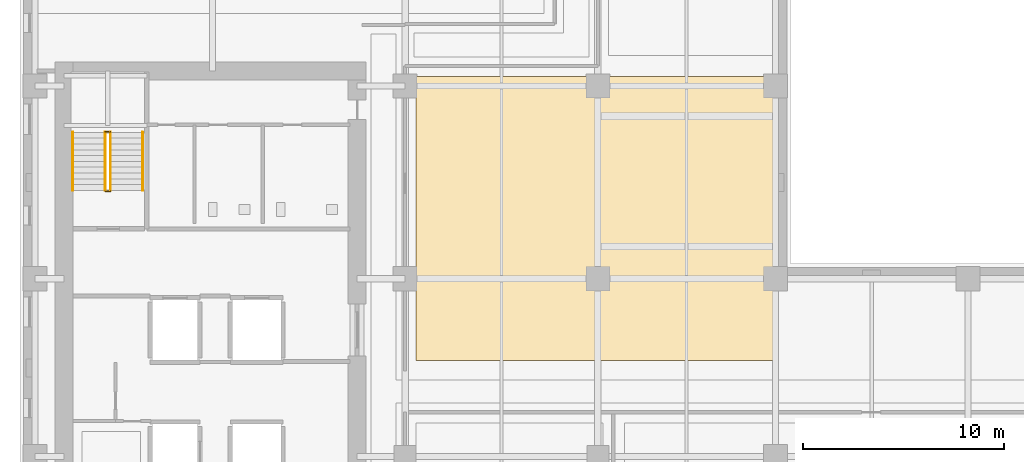
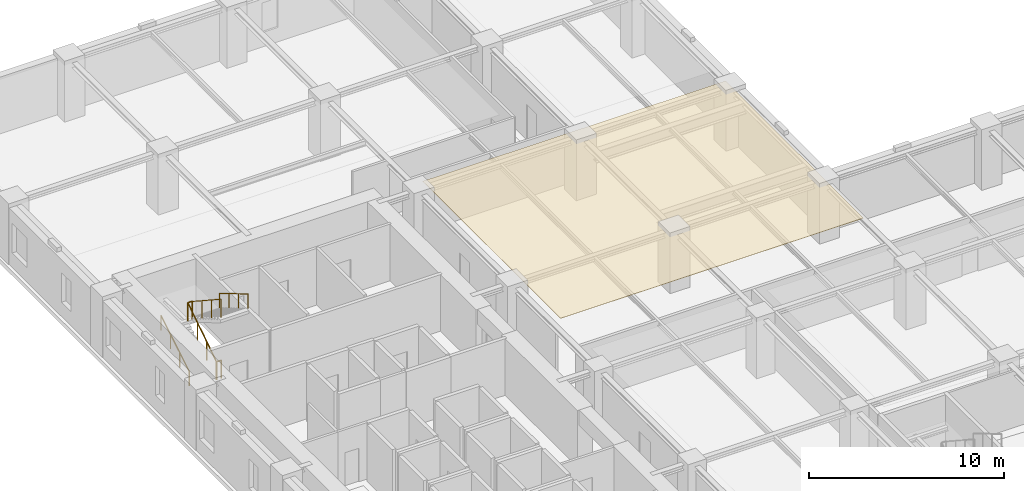
# One storey, part 11 of 13: 6 railings, 1 covering.
"""IFC4 building model written with IfcOpenShell, lengths in metres."""

from ifc_helpers import new_model, si_unit, direction, frame, origin, origin_2d, place, context, subcontext, project, spatial, polyline, circle, outline, extrude, material, layer, layer_set, type_object, element, save


model = new_model("IFC4")

# Units and contexts
model_context = context("Model", 3, precision=1e-05, world=origin(), true_north=direction((0.0, 1.0)))
body_context = subcontext(model_context, "Body", "Model", "MODEL_VIEW")
ifc_project = project(units=[si_unit("LENGTHUNIT", "METRE"), si_unit("AREAUNIT", "SQUARE_METRE"), si_unit("VOLUMEUNIT", "CUBIC_METRE"), si_unit("PLANEANGLEUNIT", "RADIAN"), si_unit("MASSUNIT", "GRAM", prefix="KILO")], contexts=[model_context])

# Site, building, storey
site_placement = place(None, origin())
site = spatial("IfcSite", under=ifc_project, at=site_placement, CompositionType="ELEMENT")
building_placement = place(site_placement, origin())
building = spatial("IfcBuilding", under=site, at=building_placement, Name="Norrvale University Quadrangle", CompositionType="ELEMENT")
storey_placement = place(building_placement, frame((0.0, 0.0, 54.60009765625)))
storey = spatial("IfcBuildingStorey", under=building, at=storey_placement, Name="L13", CompositionType="ELEMENT", Elevation=54.60009765625)

# Covering
ifc_material_1 = material(Name="Perforated Acoustic Mineral Ceiling")
ifc_layer = layer(ifc_material_1, 0.02490234375, Name="Perforated Acoustic Mineral Ceiling")
ifc_layer_set = layer_set([ifc_layer], Name="Perforated Acoustic Mineral Ceiling")
covering_type = type_object("IfcCoveringType", Name="Covering Acoustic Ceiling 25", PredefinedType="CEILING", material=ifc_layer_set)
covering_placement = place(storey_placement, frame((0.0, 0.0, 3.514892578125)))
element("IfcCovering", 1, at=covering_placement, inside=storey, type_object=covering_type, Name="Acoustic Ceiling RM-L13-MNE01", PredefinedType="CEILING", context=body_context, shape_type="SweptSolid", body=[
    extrude(outline(polyline([(19.72998046875, 47.719970703125), (37.64990234375, 47.719970703125), (37.64990234375, 33.580078125), (19.72998046875, 33.580078125), (19.72998046875, 47.719970703125)])), origin(), (0.0, 0.0, 1.0), 0.02490234375),
])

# Railings
ifc_material_2 = material(Name="Steel 350W Painted Balustrade", Category="steel")
railing_type_1 = type_object("IfcRailingType", Name="Railing Stair Guard 1100", PredefinedType="GUARDRAIL", material=ifc_material_2)
for number, where, name in (
    (2, (4.239990234375, 42.02001953125, 0.0), "Stair Floor Well Guard ST-02 L13"),
    (3, (4.239990234375, 44.97998046875, 1.89990234375), "Stair Mid-Landing Slot Guard ST-02 L13"),
):
    element("IfcRailing", number, at=place(storey_placement, frame(where)), inside=storey, type_object=railing_type_1, Name=name, PredefinedType="GUARDRAIL", context=body_context, shape_type="SweptSolid", body=[
        extrude(circle(Radius=0.02392578125, at=origin_2d()), frame((0.0, 0.0, 1.1259765625), z_axis=(1.0, 0.0, 0.0), x_axis=(0.0, 1.0, 0.0)), (0.0, 0.0, 1.0), 0.27001953125),
        extrude(circle(Radius=0.02099609375, at=origin_2d()), origin(), (0.0, 0.0, 1.0), 1.101806640625),
        extrude(circle(Radius=0.02099609375, at=origin_2d()), frame((0.27001953125, 0.0, 0.0)), (0.0, 0.0, 1.0), 1.101806640625),
    ])
railing_1_placement = place(storey_placement, frame((4.239990234375, 42.050048828125, 0.0)))
element("IfcRailing", 4, at=railing_1_placement, inside=storey, type_object=railing_type_1, Name="Stair Lower Flight Inner Guard ST-02 L13", PredefinedType="GUARDRAIL", context=body_context, shape_type="SweptSolid", body=[
    extrude(circle(Radius=0.02392578125, at=origin_2d()), frame((0.0, 0.0, 1.1259765625), z_axis=(0.0, 0.836465582154, 0.548019461216), x_axis=(-1.0, 0.0, 0.0)), (0.0, 0.0, 1.0), 3.466796875),
    extrude(circle(Radius=0.02099609375, at=origin_2d()), origin(), (0.0, 0.0, 1.0), 1.101806640625),
    extrude(circle(Radius=0.02099609375, at=origin_2d()), frame((0.0, 0.966552734375, 0.63330078125)), (0.0, 0.0, 1.0), 1.101806640625),
    extrude(circle(Radius=0.02099609375, at=origin_2d()), frame((0.0, 1.933349609375, 1.2666015625)), (0.0, 0.0, 1.0), 1.101806640625),
    extrude(circle(Radius=0.02099609375, at=origin_2d()), frame((0.0, 2.89990234375, 1.89990234375)), (0.0, 0.0, 1.0), 1.101806640625),
])
railing_2_placement = place(storey_placement, frame((4.510009765625, 44.949951171875, 1.89990234375)))
element("IfcRailing", 5, at=railing_2_placement, inside=storey, type_object=railing_type_1, Name="Stair Upper Flight Inner Guard ST-02 L13", PredefinedType="GUARDRAIL", context=body_context, shape_type="SweptSolid", body=[
    extrude(circle(Radius=0.02392578125, at=origin_2d()), frame((0.0, 0.0, 1.1259765625), z_axis=(0.0, -0.836465582154, 0.548019461216), x_axis=(1.0, 0.0, 0.0)), (0.0, 0.0, 1.0), 3.466796875),
    extrude(circle(Radius=0.02099609375, at=origin_2d()), origin(), (0.0, 0.0, 1.0), 1.101806640625),
    extrude(circle(Radius=0.02099609375, at=origin_2d()), frame((0.0, -0.966552734375, 0.63330078125)), (0.0, 0.0, 1.0), 1.101806640625),
    extrude(circle(Radius=0.02099609375, at=origin_2d()), frame((0.0, -1.933349609375, 1.2666015625)), (0.0, 0.0, 1.0), 1.101806640625),
    extrude(circle(Radius=0.02099609375, at=origin_2d()), frame((0.0, -2.89990234375, 1.89990234375)), (0.0, 0.0, 1.0), 1.101806640625),
])
ifc_material_3 = material(Name="Stainless Steel 316L Handrail", Category="steel")
railing_type_2 = type_object("IfcRailingType", Name="Railing Stair Handrail 920", PredefinedType="HANDRAIL", material=ifc_material_3)
railing_3_placement = place(storey_placement, frame((2.639892578125, 42.050048828125, 0.172607421875)))
element("IfcRailing", 6, at=railing_3_placement, inside=storey, type_object=railing_type_2, Name="Stair Lower Flight Handrail ST-02 L13", PredefinedType="HANDRAIL", context=body_context, shape_type="SweptSolid", body=[
    extrude(circle(Radius=0.02392578125, at=origin_2d()), frame((0.0, 0.0, 0.89599609375), z_axis=(0.0, 0.859141464434, 0.511738159696), x_axis=(-1.0, 0.0, 0.0)), (0.0, 0.0, 1.0), 3.375244140625),
    extrude(circle(Radius=0.02099609375, at=origin_2d()), origin(), (0.0, 0.0, 1.0), 0.871826171875),
    extrude(circle(Radius=0.02099609375, at=origin_2d()), frame((0.0, 0.966552734375, 0.57568359375)), (0.0, 0.0, 1.0), 0.871826171875),
    extrude(circle(Radius=0.02099609375, at=origin_2d()), frame((0.0, 1.933349609375, 1.151611328125)), (0.0, 0.0, 1.0), 0.871826171875),
    extrude(circle(Radius=0.02099609375, at=origin_2d()), frame((0.0, 2.89990234375, 1.727294921875)), (0.0, 0.0, 1.0), 0.871826171875),
])
railing_4_placement = place(storey_placement, frame((6.110107421875, 44.949951171875, 2.072509765625)))
element("IfcRailing", 7, at=railing_4_placement, inside=storey, type_object=railing_type_2, Name="Stair Upper Flight Handrail ST-02 L13", PredefinedType="HANDRAIL", context=body_context, shape_type="SweptSolid", body=[
    extrude(circle(Radius=0.02392578125, at=origin_2d()), frame((0.0, 0.0, 0.89599609375), z_axis=(0.0, -0.859141464434, 0.511738159696), x_axis=(1.0, 0.0, 0.0)), (0.0, 0.0, 1.0), 3.375244140625),
    extrude(circle(Radius=0.02099609375, at=origin_2d()), origin(), (0.0, 0.0, 1.0), 0.871826171875),
    extrude(circle(Radius=0.02099609375, at=origin_2d()), frame((0.0, -0.966552734375, 0.57568359375)), (0.0, 0.0, 1.0), 0.871826171875),
    extrude(circle(Radius=0.02099609375, at=origin_2d()), frame((0.0, -1.933349609375, 1.151611328125)), (0.0, 0.0, 1.0), 0.871826171875),
    extrude(circle(Radius=0.02099609375, at=origin_2d()), frame((0.0, -2.89990234375, 1.727294921875)), (0.0, 0.0, 1.0), 0.871826171875),
])

save(model, "model.ifc")
